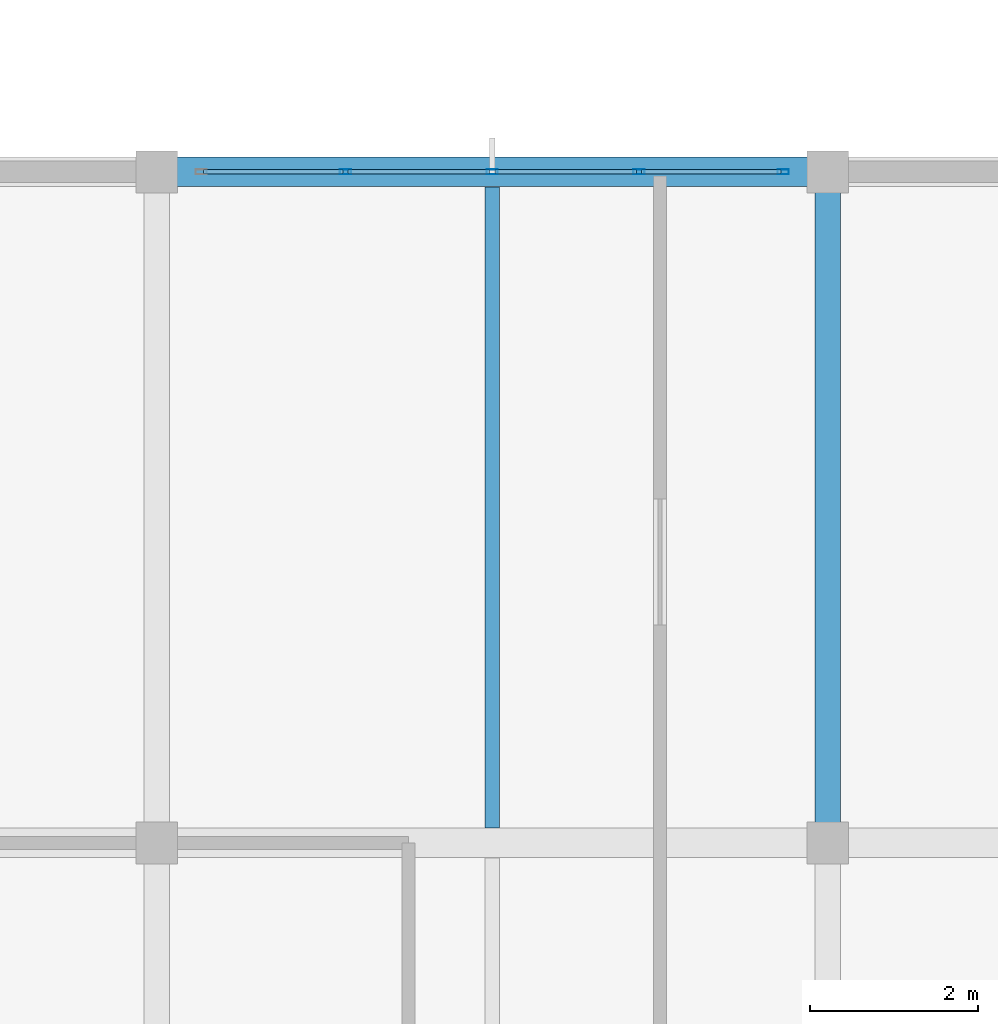
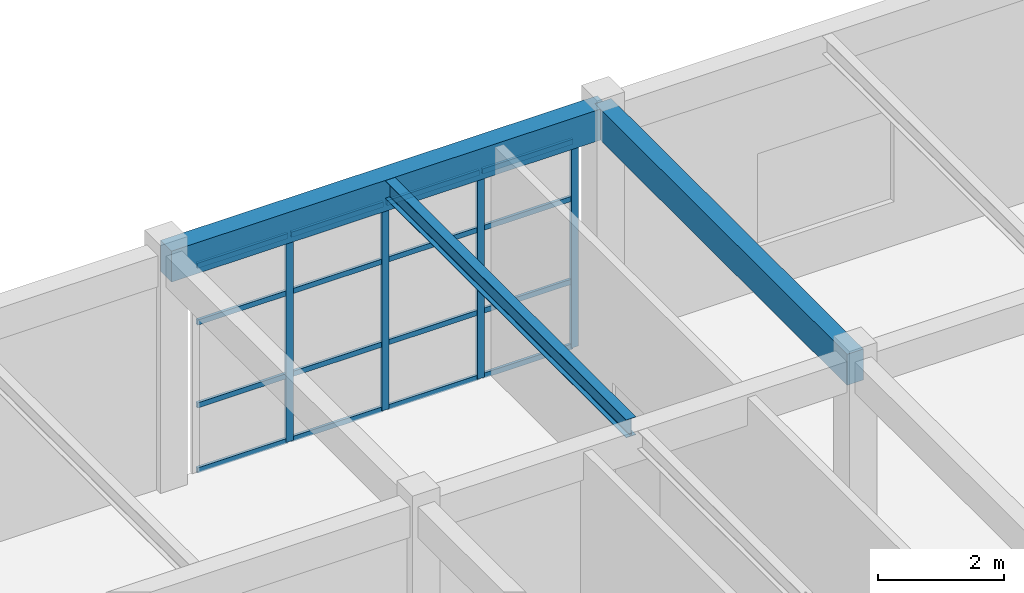
# One storey, part 26 of 248: 20 members, 3 beams, 1 element without a shape of its own.
"""IFC4 building model written with IfcOpenShell, lengths in metres."""

from ifc_helpers import new_model, si_unit, direction, frame, origin, origin_2d, place, context, subcontext, project, spatial, rectangle, hollow_rectangle, i_section, extrude, material, layer, layer_set, material_profile, profile_set, type_object, element, aggregate, save


model = new_model("IFC4")

# Units and contexts
model_context = context("Model", 3, precision=1e-05, world=origin(), true_north=direction((0.0, 1.0)))
body_context = subcontext(model_context, "Body", "Model", "MODEL_VIEW")
ifc_project = project(units=[si_unit("LENGTHUNIT", "METRE"), si_unit("AREAUNIT", "SQUARE_METRE"), si_unit("VOLUMEUNIT", "CUBIC_METRE"), si_unit("PLANEANGLEUNIT", "RADIAN"), si_unit("MASSUNIT", "GRAM", prefix="KILO")], contexts=[model_context])

# Site, building, storey
site_placement = place(None, origin())
site = spatial("IfcSite", under=ifc_project, at=site_placement, CompositionType="ELEMENT")
building_placement = place(site_placement, origin())
building = spatial("IfcBuilding", under=site, at=building_placement, Name="Canggui Botanical Conservatory", CompositionType="ELEMENT")
storey_placement = place(building_placement, frame((0.0, 0.0, 5.39990234375)))
storey = spatial("IfcBuildingStorey", under=building, at=storey_placement, Name="L02", CompositionType="ELEMENT", Elevation=5.39990234375)

# Beams
ifc_material_1 = material(Name="Steel Q355B", Category="steel")
ifc_material_profile_1 = material_profile(ifc_material_1, i_section(OverallWidth=0.175048828125, OverallDepth=0.35009765625, WebThickness=0.007080078125, FlangeThickness=0.010986328125, FilletRadius=0.013916015625, at=origin_2d()), Name="HN 350x175x7x11")
ifc_profile_set_1 = profile_set([ifc_material_profile_1], Name="Steel Q355B")
beam_type_1 = type_object("IfcBeamType", Name="BM-JST07", PredefinedType="JOIST", material=ifc_profile_set_1)
beam_1_placement = place(storey_placement, frame((54.0, 26.179931640625, 4.385009765625), z_axis=(0.0, 1.0, 0.0), x_axis=(-1.0, 0.0, 0.0)))
element("IfcBeam", 1, at=beam_1_placement, inside=storey, type_object=beam_type_1, Name="Visitor Composite Steel Joist L02-4-3", PredefinedType="JOIST", context=body_context, shape_type="SweptSolid", body=[
    extrude(i_section(OverallWidth=0.175048828125, OverallDepth=0.35009765625, WebThickness=0.007080078125, FlangeThickness=0.010986328125, FilletRadius=0.013916015625, at=origin_2d()), origin(), (0.0, 0.0, 1.0), 7.64013671875),
])
ifc_material_2 = material(Name="Concrete C35", Category="concrete")
ifc_material_profile_2 = material_profile(ifc_material_2, rectangle(XDim=0.35009765625, YDim=0.60009765625, at=origin_2d()), Name="RB 350x600")
ifc_profile_set_2 = profile_set([ifc_material_profile_2], Name="Concrete C35")
beam_type_2 = type_object("IfcBeamType", Name="BM-KL19", PredefinedType="BEAM", material=ifc_profile_set_2)
beam_2_placement = place(storey_placement, frame((50.0, 34.0, 4.260009765625), z_axis=(1.0, 0.0, 0.0), x_axis=(0.0, 1.0, 0.0)))
element("IfcBeam", 2, at=beam_2_placement, inside=storey, type_object=beam_type_2, Name="Visitor Girder L02 Y34-4", PredefinedType="BEAM", context=body_context, shape_type="SweptSolid", body=[
    extrude(rectangle(XDim=0.35009765625, YDim=0.60009765625, at=origin_2d()), origin(), (0.0, 0.0, 1.0), 8.0),
])
ifc_material_profile_3 = material_profile(ifc_material_2, rectangle(XDim=0.300048828125, YDim=0.60009765625, at=origin_2d()), Name="RB 300x600")
ifc_profile_set_3 = profile_set([ifc_material_profile_3], Name="Concrete C35")
beam_type_3 = type_object("IfcBeamType", Name="BM-KL23", PredefinedType="BEAM", material=ifc_profile_set_3)
beam_3_placement = place(storey_placement, frame((58.0, 26.0, 4.260009765625), z_axis=(0.0, 1.0, 0.0), x_axis=(-1.0, 0.0, 0.0)))
element("IfcBeam", 3, at=beam_3_placement, inside=storey, type_object=beam_type_3, Name="Visitor Girder L02 X58-3", PredefinedType="BEAM", context=body_context, shape_type="SweptSolid", body=[
    extrude(rectangle(XDim=0.300048828125, YDim=0.60009765625, at=origin_2d()), origin(), (0.0, 0.0, 1.0), 8.0),
])

# Curtain wall, members
ifc_material_3 = material(Name="Thermally Broken Aluminium", Category="aluminium")
ifc_layer = layer(ifc_material_3, 0.135009765625, Name="Thermally Broken Aluminium", Category="aluminium")
ifc_layer_set = layer_set([ifc_layer], Name="Thermally Broken Aluminium")
curtain_wall_type = type_object("IfcCurtainWallType", Name="CW-STICK-A", PredefinedType="USERDEFINED", material=ifc_layer_set)
curtain_wall_placement = place(storey_placement, origin())
curtain_wall = element("IfcCurtainWall", 4, at=curtain_wall_placement, inside=storey, type_object=curtain_wall_type, Name="Facade Curtain Wall CW-VIS-L02-14", ObjectType="STICK GLAZED WALL", PredefinedType="USERDEFINED")
ifc_material_profile_4 = material_profile(ifc_material_3, hollow_rectangle(XDim=0.06005859375, YDim=0.135009765625, WallThickness=0.00341796875, at=origin_2d()), Name="CWM 60x135x3.5")
ifc_profile_set_4 = profile_set([ifc_material_profile_4], Name="Thermally Broken Aluminium")
member_type_1 = type_object("IfcMemberType", Name="CWM-04", PredefinedType="MULLION", material=ifc_profile_set_4)
member_1_placement = place(storey_placement, frame((52.25, 34.0, 0.0), z_axis=(0.0, 0.0, 1.0), x_axis=(0.0, 1.0, 0.0)))
member_1 = element("IfcMember", 5, at=member_1_placement, type_object=member_type_1, Name="CW-04 mullion 2", PredefinedType="MULLION", context=body_context, shape_type="SweptSolid", body=[
    extrude(hollow_rectangle(XDim=0.06005859375, YDim=0.135009765625, WallThickness=0.00341796875, at=origin_2d()), origin(), (0.0, 0.0, 1.0), 4.010009765625),
])
member_2_placement = place(storey_placement, frame((54.0, 34.0, 0.0), z_axis=(0.0, 0.0, 1.0), x_axis=(0.0, 1.0, 0.0)))
member_2 = element("IfcMember", 6, at=member_2_placement, type_object=member_type_1, Name="CW-04 mullion 3", PredefinedType="MULLION", context=body_context, shape_type="SweptSolid", body=[
    extrude(hollow_rectangle(XDim=0.06005859375, YDim=0.135009765625, WallThickness=0.00341796875, at=origin_2d()), origin(), (0.0, 0.0, 1.0), 4.010009765625),
])
member_3_placement = place(storey_placement, frame((55.75, 34.0, 0.0), z_axis=(0.0, 0.0, 1.0), x_axis=(0.0, 1.0, 0.0)))
member_3 = element("IfcMember", 7, at=member_3_placement, type_object=member_type_1, Name="CW-04 mullion 4", PredefinedType="MULLION", context=body_context, shape_type="SweptSolid", body=[
    extrude(hollow_rectangle(XDim=0.06005859375, YDim=0.135009765625, WallThickness=0.00341796875, at=origin_2d()), origin(), (0.0, 0.0, 1.0), 4.010009765625),
])
member_4_placement = place(storey_placement, frame((57.469970703125, 34.0, 0.0), z_axis=(0.0, 0.0, 1.0), x_axis=(0.0, 1.0, 0.0)))
member_4 = element("IfcMember", 8, at=member_4_placement, type_object=member_type_1, Name="CW-04 mullion 5", PredefinedType="MULLION", context=body_context, shape_type="SweptSolid", body=[
    extrude(hollow_rectangle(XDim=0.06005859375, YDim=0.135009765625, WallThickness=0.00341796875, at=origin_2d()), origin(), (0.0, 0.0, 1.0), 4.010009765625),
])
ifc_material_profile_5 = material_profile(ifc_material_3, hollow_rectangle(XDim=0.050048828125, YDim=0.10009765625, WallThickness=0.0029296875, at=origin_2d()), Name="CWT 50x100x3")
ifc_profile_set_5 = profile_set([ifc_material_profile_5], Name="Thermally Broken Aluminium")
member_type_2 = type_object("IfcMemberType", Name="CWT-04", PredefinedType="USERDEFINED", material=ifc_profile_set_5)
member_5_placement = place(storey_placement, frame((50.56005859375, 34.0, 0.025146484375), z_axis=(1.0, 0.0, 0.0), x_axis=(0.0, 1.0, 0.0)))
member_5 = element("IfcMember", 9, at=member_5_placement, type_object=member_type_2, Name="CW-04 transom 1.1", ObjectType="TRANSOM", PredefinedType="USERDEFINED", context=body_context, shape_type="SweptSolid", body=[
    extrude(hollow_rectangle(XDim=0.050048828125, YDim=0.10009765625, WallThickness=0.0029296875, at=origin_2d()), origin(), (0.0, 0.0, 1.0), 1.659912109375),
])
member_6_placement = place(storey_placement, frame((50.56005859375, 34.0, 1.283203125), z_axis=(1.0, 0.0, 0.0), x_axis=(0.0, 1.0, 0.0)))
member_6 = element("IfcMember", 10, at=member_6_placement, type_object=member_type_2, Name="CW-04 transom 1.2", ObjectType="TRANSOM", PredefinedType="USERDEFINED", context=body_context, shape_type="SweptSolid", body=[
    extrude(hollow_rectangle(XDim=0.050048828125, YDim=0.10009765625, WallThickness=0.0029296875, at=origin_2d()), origin(), (0.0, 0.0, 1.0), 1.659912109375),
])
member_7_placement = place(storey_placement, frame((50.56005859375, 34.0, 2.88720703125), z_axis=(1.0, 0.0, 0.0), x_axis=(0.0, 1.0, 0.0)))
member_7 = element("IfcMember", 11, at=member_7_placement, type_object=member_type_2, Name="CW-04 transom 1.3", ObjectType="TRANSOM", PredefinedType="USERDEFINED", context=body_context, shape_type="SweptSolid", body=[
    extrude(hollow_rectangle(XDim=0.050048828125, YDim=0.10009765625, WallThickness=0.0029296875, at=origin_2d()), origin(), (0.0, 0.0, 1.0), 1.659912109375),
])
member_8_placement = place(storey_placement, frame((50.56005859375, 34.0, 3.985107421875), z_axis=(1.0, 0.0, 0.0), x_axis=(0.0, 1.0, 0.0)))
member_8 = element("IfcMember", 12, at=member_8_placement, type_object=member_type_2, Name="CW-04 transom 1.4", ObjectType="TRANSOM", PredefinedType="USERDEFINED", context=body_context, shape_type="SweptSolid", body=[
    extrude(hollow_rectangle(XDim=0.050048828125, YDim=0.10009765625, WallThickness=0.0029296875, at=origin_2d()), origin(), (0.0, 0.0, 1.0), 1.659912109375),
])
member_9_placement = place(storey_placement, frame((52.280029296875, 34.0, 0.025146484375), z_axis=(1.0, 0.0, 0.0), x_axis=(0.0, 1.0, 0.0)))
member_9 = element("IfcMember", 13, at=member_9_placement, type_object=member_type_2, Name="CW-04 transom 2.1", ObjectType="TRANSOM", PredefinedType="USERDEFINED", context=body_context, shape_type="SweptSolid", body=[
    extrude(hollow_rectangle(XDim=0.050048828125, YDim=0.10009765625, WallThickness=0.0029296875, at=origin_2d()), origin(), (0.0, 0.0, 1.0), 1.68994140625),
])
member_10_placement = place(storey_placement, frame((52.280029296875, 34.0, 1.283203125), z_axis=(1.0, 0.0, 0.0), x_axis=(0.0, 1.0, 0.0)))
member_10 = element("IfcMember", 14, at=member_10_placement, type_object=member_type_2, Name="CW-04 transom 2.2", ObjectType="TRANSOM", PredefinedType="USERDEFINED", context=body_context, shape_type="SweptSolid", body=[
    extrude(hollow_rectangle(XDim=0.050048828125, YDim=0.10009765625, WallThickness=0.0029296875, at=origin_2d()), origin(), (0.0, 0.0, 1.0), 1.68994140625),
])
member_11_placement = place(storey_placement, frame((52.280029296875, 34.0, 2.88720703125), z_axis=(1.0, 0.0, 0.0), x_axis=(0.0, 1.0, 0.0)))
member_11 = element("IfcMember", 15, at=member_11_placement, type_object=member_type_2, Name="CW-04 transom 2.3", ObjectType="TRANSOM", PredefinedType="USERDEFINED", context=body_context, shape_type="SweptSolid", body=[
    extrude(hollow_rectangle(XDim=0.050048828125, YDim=0.10009765625, WallThickness=0.0029296875, at=origin_2d()), origin(), (0.0, 0.0, 1.0), 1.68994140625),
])
member_12_placement = place(storey_placement, frame((52.280029296875, 34.0, 3.985107421875), z_axis=(1.0, 0.0, 0.0), x_axis=(0.0, 1.0, 0.0)))
member_12 = element("IfcMember", 16, at=member_12_placement, type_object=member_type_2, Name="CW-04 transom 2.4", ObjectType="TRANSOM", PredefinedType="USERDEFINED", context=body_context, shape_type="SweptSolid", body=[
    extrude(hollow_rectangle(XDim=0.050048828125, YDim=0.10009765625, WallThickness=0.0029296875, at=origin_2d()), origin(), (0.0, 0.0, 1.0), 1.68994140625),
])
member_13_placement = place(storey_placement, frame((54.030029296875, 34.0, 0.025146484375), z_axis=(1.0, 0.0, 0.0), x_axis=(0.0, 1.0, 0.0)))
member_13 = element("IfcMember", 17, at=member_13_placement, type_object=member_type_2, Name="CW-04 transom 3.1", ObjectType="TRANSOM", PredefinedType="USERDEFINED", context=body_context, shape_type="SweptSolid", body=[
    extrude(hollow_rectangle(XDim=0.050048828125, YDim=0.10009765625, WallThickness=0.0029296875, at=origin_2d()), origin(), (0.0, 0.0, 1.0), 1.68994140625),
])
member_14_placement = place(storey_placement, frame((54.030029296875, 34.0, 1.283203125), z_axis=(1.0, 0.0, 0.0), x_axis=(0.0, 1.0, 0.0)))
member_14 = element("IfcMember", 18, at=member_14_placement, type_object=member_type_2, Name="CW-04 transom 3.2", ObjectType="TRANSOM", PredefinedType="USERDEFINED", context=body_context, shape_type="SweptSolid", body=[
    extrude(hollow_rectangle(XDim=0.050048828125, YDim=0.10009765625, WallThickness=0.0029296875, at=origin_2d()), origin(), (0.0, 0.0, 1.0), 1.68994140625),
])
member_15_placement = place(storey_placement, frame((54.030029296875, 34.0, 2.88720703125), z_axis=(1.0, 0.0, 0.0), x_axis=(0.0, 1.0, 0.0)))
member_15 = element("IfcMember", 19, at=member_15_placement, type_object=member_type_2, Name="CW-04 transom 3.3", ObjectType="TRANSOM", PredefinedType="USERDEFINED", context=body_context, shape_type="SweptSolid", body=[
    extrude(hollow_rectangle(XDim=0.050048828125, YDim=0.10009765625, WallThickness=0.0029296875, at=origin_2d()), origin(), (0.0, 0.0, 1.0), 1.68994140625),
])
member_16_placement = place(storey_placement, frame((54.030029296875, 34.0, 3.985107421875), z_axis=(1.0, 0.0, 0.0), x_axis=(0.0, 1.0, 0.0)))
member_16 = element("IfcMember", 20, at=member_16_placement, type_object=member_type_2, Name="CW-04 transom 3.4", ObjectType="TRANSOM", PredefinedType="USERDEFINED", context=body_context, shape_type="SweptSolid", body=[
    extrude(hollow_rectangle(XDim=0.050048828125, YDim=0.10009765625, WallThickness=0.0029296875, at=origin_2d()), origin(), (0.0, 0.0, 1.0), 1.68994140625),
])
member_17_placement = place(storey_placement, frame((55.780029296875, 34.0, 0.025146484375), z_axis=(1.0, 0.0, 0.0), x_axis=(0.0, 1.0, 0.0)))
member_17 = element("IfcMember", 21, at=member_17_placement, type_object=member_type_2, Name="CW-04 transom 4.1", ObjectType="TRANSOM", PredefinedType="USERDEFINED", context=body_context, shape_type="SweptSolid", body=[
    extrude(hollow_rectangle(XDim=0.050048828125, YDim=0.10009765625, WallThickness=0.0029296875, at=origin_2d()), origin(), (0.0, 0.0, 1.0), 1.659912109375),
])
member_18_placement = place(storey_placement, frame((55.780029296875, 34.0, 1.283203125), z_axis=(1.0, 0.0, 0.0), x_axis=(0.0, 1.0, 0.0)))
member_18 = element("IfcMember", 22, at=member_18_placement, type_object=member_type_2, Name="CW-04 transom 4.2", ObjectType="TRANSOM", PredefinedType="USERDEFINED", context=body_context, shape_type="SweptSolid", body=[
    extrude(hollow_rectangle(XDim=0.050048828125, YDim=0.10009765625, WallThickness=0.0029296875, at=origin_2d()), origin(), (0.0, 0.0, 1.0), 1.659912109375),
])
member_19_placement = place(storey_placement, frame((55.780029296875, 34.0, 2.88720703125), z_axis=(1.0, 0.0, 0.0), x_axis=(0.0, 1.0, 0.0)))
member_19 = element("IfcMember", 23, at=member_19_placement, type_object=member_type_2, Name="CW-04 transom 4.3", ObjectType="TRANSOM", PredefinedType="USERDEFINED", context=body_context, shape_type="SweptSolid", body=[
    extrude(hollow_rectangle(XDim=0.050048828125, YDim=0.10009765625, WallThickness=0.0029296875, at=origin_2d()), origin(), (0.0, 0.0, 1.0), 1.659912109375),
])
member_20_placement = place(storey_placement, frame((55.780029296875, 34.0, 3.985107421875), z_axis=(1.0, 0.0, 0.0), x_axis=(0.0, 1.0, 0.0)))
member_20 = element("IfcMember", 24, at=member_20_placement, type_object=member_type_2, Name="CW-04 transom 4.4", ObjectType="TRANSOM", PredefinedType="USERDEFINED", context=body_context, shape_type="SweptSolid", body=[
    extrude(hollow_rectangle(XDim=0.050048828125, YDim=0.10009765625, WallThickness=0.0029296875, at=origin_2d()), origin(), (0.0, 0.0, 1.0), 1.659912109375),
])
aggregate(curtain_wall, [member_1, member_2, member_3, member_4, member_5, member_6, member_7, member_8, member_9, member_10, member_11, member_12, member_13, member_14, member_15, member_16, member_17, member_18, member_19, member_20])

save(model, "model.ifc")
